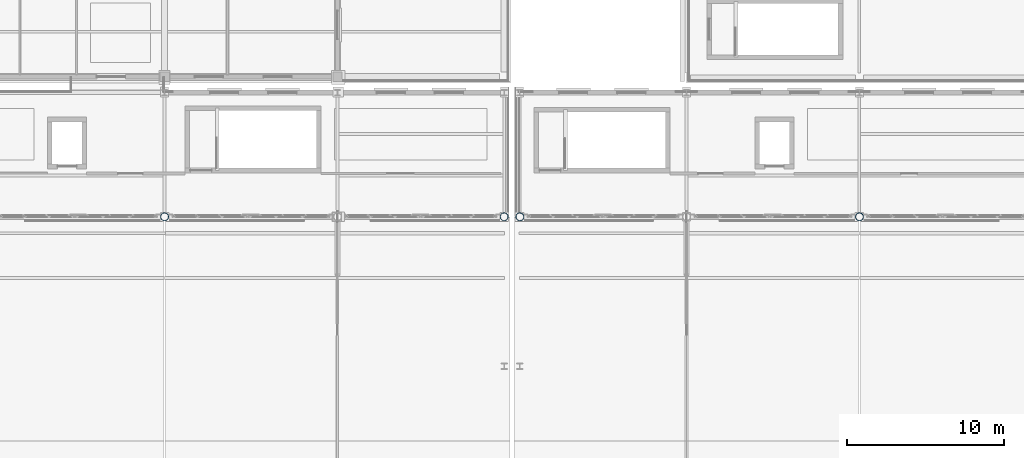
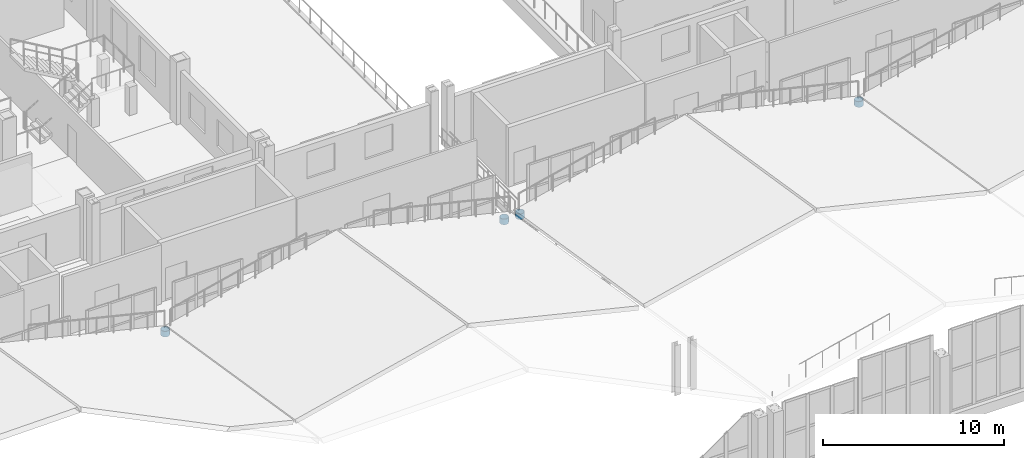
# One storey, part 11 of 120: 4 columns.
"""IFC4 building model written with IfcOpenShell, lengths in metres."""

from ifc_helpers import new_model, si_unit, direction, frame, origin, origin_2d, place, context, subcontext, project, spatial, hollow_circle, extrude, material, material_profile, profile_set, type_object, element, save


model = new_model("IFC4")

# Units and contexts
model_context = context("Model", 3, precision=1e-05, world=origin(), true_north=direction((0.0, 1.0)))
body_context = subcontext(model_context, "Body", "Model", "MODEL_VIEW")
ifc_project = project(units=[si_unit("LENGTHUNIT", "METRE"), si_unit("AREAUNIT", "SQUARE_METRE"), si_unit("VOLUMEUNIT", "CUBIC_METRE"), si_unit("PLANEANGLEUNIT", "RADIAN"), si_unit("MASSUNIT", "GRAM", prefix="KILO")], contexts=[model_context])

# Site, building, storey
site_placement = place(None, origin())
site = spatial("IfcSite", under=ifc_project, at=site_placement, CompositionType="ELEMENT")
building_placement = place(site_placement, origin())
building = spatial("IfcBuilding", under=site, at=building_placement, Name="Caurita Quay Ferry Terminal", CompositionType="ELEMENT")
storey_placement = place(building_placement, frame((0.0, 0.0, 9.89990234375)))
storey = spatial("IfcBuildingStorey", under=building, at=storey_placement, Name="L02", CompositionType="ELEMENT", Elevation=9.89990234375)

# Columns
ifc_material = material(Name="Hollow structural steel ASTM A500 Gr. C", Category="steel")
ifc_material_profile = material_profile(ifc_material, hollow_circle(Radius=0.25390625, WallThickness=0.01171875, at=origin_2d()), Name="HSS20.000X0.500")
ifc_profile_set = profile_set([ifc_material_profile], Name="Hollow structural steel ASTM A500 Gr. C")
column_type = type_object("IfcColumnType", Name="COL-MST-01", PredefinedType="COLUMN", material=ifc_profile_set)
for number, where, z_axis, x_axis, name in (
    (1, (66.0, 62.699951171875, 0.0), (0.0, 0.0, 1.0), (1.0, 0.0, 0.0), "L02 Column V1-MST-07-N"),
    (2, (87.60009765625, 62.699951171875, 0.0), (0.0, 0.0, 1.0), (1.0, 0.0, 0.0), "L02 Column V1-MST-09-N"),
    (3, (88.60009765625, 62.699951171875, 0.0), (0.0, 0.0, 1.0), (1.0, 0.0, 0.0), "L02 Column V2-MST-10-N"),
    (4, (110.199951171875, 62.699951171875, 0.0), (0.0, 0.0, 1.0), (1.0, 0.0, 0.0), "L02 Column V2-MST-12-N"),
):
    element("IfcColumn", number, at=place(storey_placement, frame(where, z_axis=z_axis, x_axis=x_axis)), inside=storey, type_object=column_type, Name=name, PredefinedType="COLUMN", context=body_context, shape_type="SweptSolid", body=[
        extrude(hollow_circle(Radius=0.25390625, WallThickness=0.01171875, at=origin_2d()), origin(), (0.0, 0.0, 1.0), 0.380126953125),
    ])

save(model, "model.ifc")
